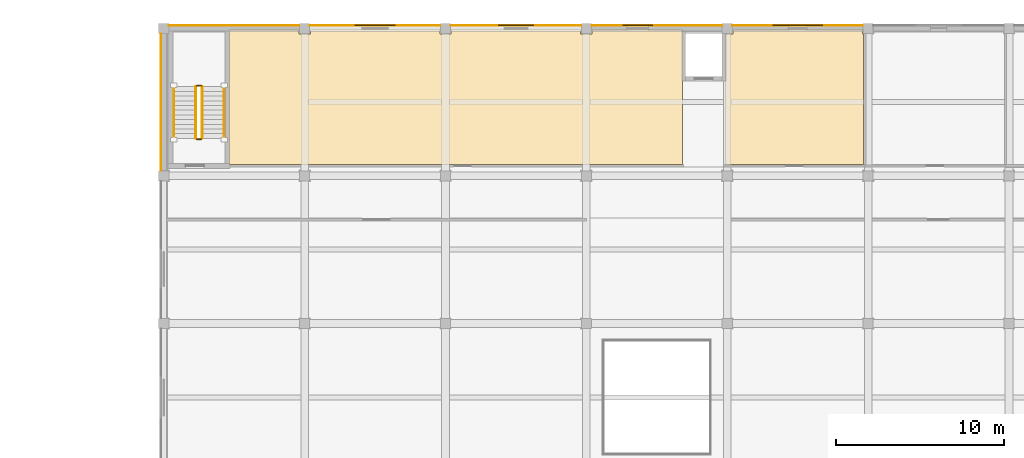
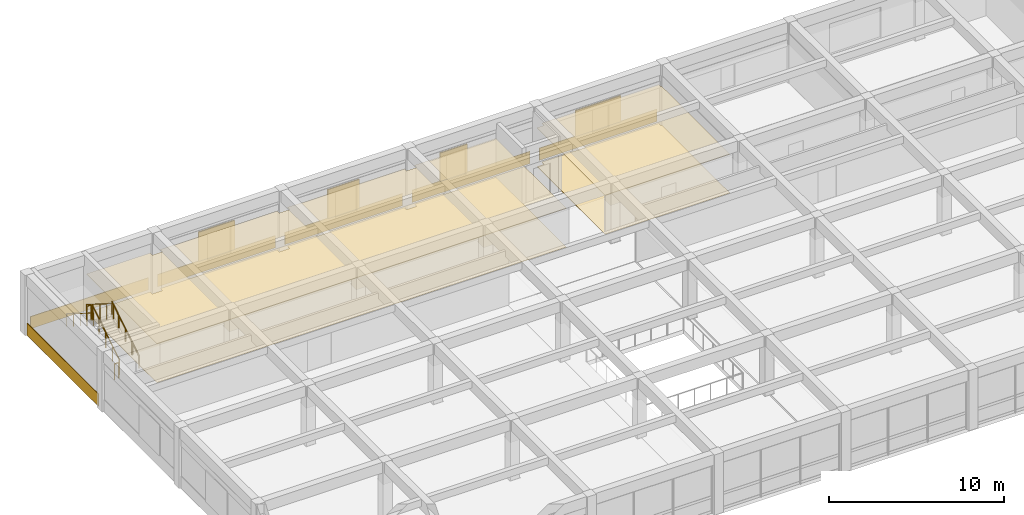
# One storey, part 41 of 46: 10 coverings, 6 railings, 4 shading devices.
"""IFC4 building model written with IfcOpenShell, lengths in metres."""

from ifc_helpers import new_model, si_unit, direction, frame, origin, origin_2d, place, context, subcontext, project, spatial, polyline, rectangle, circle, outline, extrude, material, layer, layer_set, type_object, element, save


model = new_model("IFC4")

# Units and contexts
model_context = context("Model", 3, precision=1e-05, world=origin(), true_north=direction((0.0, 1.0)))
body_context = subcontext(model_context, "Body", "Model", "MODEL_VIEW")
ifc_project = project(units=[si_unit("LENGTHUNIT", "METRE"), si_unit("AREAUNIT", "SQUARE_METRE"), si_unit("VOLUMEUNIT", "CUBIC_METRE"), si_unit("PLANEANGLEUNIT", "RADIAN"), si_unit("MASSUNIT", "GRAM", prefix="KILO")], contexts=[model_context])

# Site, building, storey
site_placement = place(None, origin())
site = spatial("IfcSite", under=ifc_project, at=site_placement, CompositionType="ELEMENT")
building_placement = place(site_placement, origin())
building = spatial("IfcBuilding", under=site, at=building_placement, Name="Kemercrest Conservatory and Botanical Centre", CompositionType="ELEMENT")
storey_placement = place(building_placement, frame((0.0, 0.0, 9.0)))
storey = spatial("IfcBuildingStorey", under=building, at=storey_placement, Name="L02", CompositionType="ELEMENT", Elevation=9.0)

# Coverings
ifc_material_1 = material(Name="Honed limestone almasik ashlar rainscreen", Category="masonry")
ifc_layer_1 = layer(ifc_material_1, 0.0400390625)
ifc_layer_set_1 = layer_set([ifc_layer_1], Name="Honed limestone almasik ashlar rainscreen")
covering_type_1 = type_object("IfcCoveringType", Name="CV-CLD040", PredefinedType="CLADDING", material=ifc_layer_set_1)
covering_1_placement = place(storey_placement, origin())
element("IfcCovering", 1, at=covering_1_placement, inside=storey, type_object=covering_type_1, Name="Exterior stone spandrel cladding (WAL:L02:EXT-129)", PredefinedType="CLADDING", context=body_context, shape_type="SweptSolid", body=[
    extrude(outline(polyline([(58.090087890625, 122.550048828125), (58.090087890625, 122.590087890625), (50.31005859375, 122.590087890625), (50.31005859375, 122.550048828125), (58.090087890625, 122.550048828125)])), origin(), (0.0, 0.0, 1.0), 0.85009765625),
])
covering_2_placement = place(storey_placement, origin())
element("IfcCovering", 2, at=covering_2_placement, inside=storey, type_object=covering_type_1, Name="Exterior stone spandrel cladding (WAL:L02:EXT-130)", PredefinedType="CLADDING", context=body_context, shape_type="SweptSolid", body=[
    extrude(outline(polyline([(49.68994140625, 122.550048828125), (49.68994140625, 122.590087890625), (41.909912109375, 122.590087890625), (41.909912109375, 122.550048828125), (49.68994140625, 122.550048828125)])), origin(), (0.0, 0.0, 1.0), 0.85009765625),
])
covering_3_placement = place(storey_placement, origin())
element("IfcCovering", 3, at=covering_3_placement, inside=storey, type_object=covering_type_1, Name="Exterior stone spandrel cladding (WAL:L02:EXT-131)", PredefinedType="CLADDING", context=body_context, shape_type="SweptSolid", body=[
    extrude(outline(polyline([(41.2900390625, 122.550048828125), (41.2900390625, 122.590087890625), (33.510009765625, 122.590087890625), (33.510009765625, 122.550048828125), (41.2900390625, 122.550048828125)])), origin(), (0.0, 0.0, 1.0), 0.85009765625),
])
covering_4_placement = place(storey_placement, origin())
element("IfcCovering", 4, at=covering_4_placement, inside=storey, type_object=covering_type_1, Name="Exterior stone spandrel cladding (WAL:L02:EXT-132)", PredefinedType="CLADDING", context=body_context, shape_type="SweptSolid", body=[
    extrude(outline(polyline([(32.889892578125, 122.550048828125), (32.889892578125, 122.590087890625), (25.110107421875, 122.590087890625), (25.110107421875, 122.550048828125), (32.889892578125, 122.550048828125)])), origin(), (0.0, 0.0, 1.0), 0.85009765625),
])
covering_5_placement = place(storey_placement, origin())
element("IfcCovering", 5, at=covering_5_placement, inside=storey, type_object=covering_type_1, Name="Exterior stone spandrel cladding (WAL:L02:EXT-133)", PredefinedType="CLADDING", context=body_context, shape_type="SweptSolid", body=[
    extrude(outline(polyline([(24.489990234375, 122.550048828125), (24.489990234375, 122.590087890625), (16.7099609375, 122.590087890625), (16.7099609375, 122.550048828125), (24.489990234375, 122.550048828125)])), origin(), (0.0, 0.0, 1.0), 0.85009765625),
])
covering_6_placement = place(storey_placement, origin())
element("IfcCovering", 6, at=covering_6_placement, inside=storey, type_object=covering_type_1, Name="Exterior stone spandrel cladding (WAL:L02:EXT-134)", PredefinedType="CLADDING", context=body_context, shape_type="SweptSolid", body=[
    extrude(outline(polyline([(16.25, 122.090087890625), (16.2099609375, 122.090087890625), (16.2099609375, 113.909912109375), (16.25, 113.909912109375), (16.25, 122.090087890625)])), origin(), (0.0, 0.0, 1.0), 0.85009765625),
])
ifc_material_2 = material(Name="Perforated acoustic gypsum and mineral-fibre suspended ceiling", Category="gypsum")
ifc_layer_2 = layer(ifc_material_2, 0.034912109375)
ifc_layer_set_2 = layer_set([ifc_layer_2], Name="Perforated acoustic gypsum and mineral-fibre suspended ceiling")
covering_type_2 = type_object("IfcCoveringType", Name="CV-CLG035", PredefinedType="CEILING", material=ifc_layer_set_2)
covering_7_placement = place(storey_placement, frame((0.0, 0.0, 2.699951171875)))
element("IfcCovering", 7, at=covering_7_placement, inside=storey, type_object=covering_type_2, Name="Youth Education Studio suspended acoustic ceiling", PredefinedType="CEILING", context=body_context, shape_type="SweptSolid", body=[
    extrude(outline(polyline([(20.280029296875, 114.280029296875), (47.320068359375, 114.280029296875), (47.320068359375, 122.320068359375), (41.93994140625, 122.320068359375), (41.93994140625, 122.06005859375), (41.260009765625, 122.06005859375), (41.260009765625, 122.320068359375), (33.5400390625, 122.320068359375), (33.5400390625, 122.06005859375), (32.860107421875, 122.06005859375), (32.860107421875, 122.320068359375), (25.139892578125, 122.320068359375), (25.139892578125, 122.06005859375), (24.4599609375, 122.06005859375), (24.4599609375, 122.320068359375), (20.280029296875, 122.320068359375), (20.280029296875, 114.280029296875)])), origin(), (0.0, 0.0, 1.0), 0.03515625),
])
covering_8_placement = place(storey_placement, frame((0.0, 0.0, 2.699951171875)))
element("IfcCovering", 8, at=covering_8_placement, inside=storey, type_object=covering_type_2, Name="Public Washroom suspended acoustic ceiling", PredefinedType="CEILING", context=body_context, shape_type="SweptSolid", body=[
    extrude(outline(polyline([(49.8798828125, 114.280029296875), (58.1201171875, 114.280029296875), (58.1201171875, 122.06005859375), (58.06005859375, 122.06005859375), (58.06005859375, 122.320068359375), (50.340087890625, 122.320068359375), (50.340087890625, 122.06005859375), (49.8798828125, 122.06005859375), (49.8798828125, 114.280029296875)])), origin(), (0.0, 0.0, 1.0), 0.03515625),
])
ifc_material_3 = material(Name="Polished limestone terrazzo and seamless laboratory epoxy flooring", Category="masonry")
ifc_layer_3 = layer(ifc_material_3, 0.02001953125)
ifc_layer_set_3 = layer_set([ifc_layer_3], Name="Polished limestone terrazzo and seamless laboratory epoxy flooring")
covering_type_3 = type_object("IfcCoveringType", Name="CV-FLR020", PredefinedType="FLOORING", material=ifc_layer_set_3)
covering_9_placement = place(storey_placement, origin())
element("IfcCovering", 9, at=covering_9_placement, inside=storey, type_object=covering_type_3, Name="Youth Education Studio floor finish", PredefinedType="FLOORING", context=body_context, shape_type="SweptSolid", body=[
    extrude(outline(polyline([(20.280029296875, 114.280029296875), (47.320068359375, 114.280029296875), (47.320068359375, 122.320068359375), (41.93994140625, 122.320068359375), (41.93994140625, 122.06005859375), (41.260009765625, 122.06005859375), (41.260009765625, 122.320068359375), (33.5400390625, 122.320068359375), (33.5400390625, 122.06005859375), (32.860107421875, 122.06005859375), (32.860107421875, 122.320068359375), (25.139892578125, 122.320068359375), (25.139892578125, 122.06005859375), (24.4599609375, 122.06005859375), (24.4599609375, 122.320068359375), (20.280029296875, 122.320068359375), (20.280029296875, 114.280029296875)])), origin(), (0.0, 0.0, 1.0), 0.02001953125),
])
covering_10_placement = place(storey_placement, origin())
element("IfcCovering", 10, at=covering_10_placement, inside=storey, type_object=covering_type_3, Name="Public Washroom floor finish", PredefinedType="FLOORING", context=body_context, shape_type="SweptSolid", body=[
    extrude(outline(polyline([(49.8798828125, 114.280029296875), (58.1201171875, 114.280029296875), (58.1201171875, 122.06005859375), (58.06005859375, 122.06005859375), (58.06005859375, 122.320068359375), (50.340087890625, 122.320068359375), (50.340087890625, 122.06005859375), (49.8798828125, 122.06005859375), (49.8798828125, 114.280029296875)])), origin(), (0.0, 0.0, 1.0), 0.02001953125),
])

# Railings
ifc_material_4 = material(Name="Painted galvanized steel tubular stair guardrail", Category="steel")
railing_type_1 = type_object("IfcRailingType", Name="GR-STR110", PredefinedType="GUARDRAIL", material=ifc_material_4)
railing_1_placement = place(storey_placement, frame((18.68994140625, 115.840087890625, 0.175048828125)))
element("IfcRailing", 11, at=railing_1_placement, inside=storey, type_object=railing_type_1, Name="L02 ST-V3A stair guard 1", PredefinedType="GUARDRAIL", context=body_context, shape_type="SweptSolid", body=[
    extrude(circle(Radius=0.02392578125, at=origin_2d()), frame((0.0, 0.0, 1.076171875), z_axis=(0.0, 0.847979421464, 0.530029150871), x_axis=(-1.0, 0.0, 0.0)), (0.0, 0.0, 1.0), 3.632080078125),
    extrude(circle(Radius=0.02099609375, at=origin_2d()), origin(), (0.0, 0.0, 1.0), 1.052001953125),
    extrude(circle(Radius=0.02099609375, at=origin_2d()), frame((0.0, 0.77001953125, 0.481201171875)), (0.0, 0.0, 1.0), 1.052001953125),
    extrude(circle(Radius=0.02099609375, at=origin_2d()), frame((0.0, 1.5400390625, 0.96240234375)), (0.0, 0.0, 1.0), 1.052001953125),
    extrude(circle(Radius=0.02099609375, at=origin_2d()), frame((0.0, 2.309814453125, 1.44384765625)), (0.0, 0.0, 1.0), 1.052001953125),
    extrude(circle(Radius=0.02099609375, at=origin_2d()), frame((0.0, 3.079833984375, 1.925048828125)), (0.0, 0.0, 1.0), 1.052001953125),
])
railing_2_placement = place(storey_placement, frame((18.639892578125, 118.969970703125, 2.10009765625)))
element("IfcRailing", 12, at=railing_2_placement, inside=storey, type_object=railing_type_1, Name="L02 ST-V3A stair guard 2", PredefinedType="GUARDRAIL", context=body_context, shape_type="SweptSolid", body=[
    extrude(circle(Radius=0.02392578125, at=origin_2d()), frame((0.0, 0.0, 1.076171875), z_axis=(-1.0, 0.0, 0.0), x_axis=(0.0, -1.0, 0.0)), (0.0, 0.0, 1.0), 0.27978515625),
    extrude(circle(Radius=0.02099609375, at=origin_2d()), origin(), (0.0, 0.0, 1.0), 1.052001953125),
    extrude(circle(Radius=0.02099609375, at=origin_2d()), frame((-0.27978515625, 0.0, 0.0)), (0.0, 0.0, 1.0), 1.052001953125),
])
railing_3_placement = place(storey_placement, frame((18.31005859375, 118.919921875, 2.27490234375)))
element("IfcRailing", 13, at=railing_3_placement, inside=storey, type_object=railing_type_1, Name="L02 ST-V3A stair guard 3", PredefinedType="GUARDRAIL", context=body_context, shape_type="SweptSolid", body=[
    extrude(circle(Radius=0.02392578125, at=origin_2d()), frame((0.0, 0.0, 1.076171875), z_axis=(0.0, -0.847979421464, 0.530029150871), x_axis=(1.0, 0.0, 0.0)), (0.0, 0.0, 1.0), 3.632080078125),
    extrude(circle(Radius=0.02099609375, at=origin_2d()), origin(), (0.0, 0.0, 1.0), 1.052001953125),
    extrude(circle(Radius=0.02099609375, at=origin_2d()), frame((0.0, -0.77001953125, 0.481201171875)), (0.0, 0.0, 1.0), 1.052001953125),
    extrude(circle(Radius=0.02099609375, at=origin_2d()), frame((0.0, -1.5400390625, 0.96240234375)), (0.0, 0.0, 1.0), 1.052001953125),
    extrude(circle(Radius=0.02099609375, at=origin_2d()), frame((0.0, -2.309814453125, 1.44384765625)), (0.0, 0.0, 1.0), 1.052001953125),
    extrude(circle(Radius=0.02099609375, at=origin_2d()), frame((0.0, -3.079833984375, 1.925048828125)), (0.0, 0.0, 1.0), 1.052001953125),
])
railing_4_placement = place(storey_placement, frame((18.639892578125, 115.7900390625, 0.0)))
element("IfcRailing", 14, at=railing_4_placement, inside=storey, type_object=railing_type_1, Name="L02 ST-V3A stair guard 4", PredefinedType="GUARDRAIL", context=body_context, shape_type="SweptSolid", body=[
    extrude(circle(Radius=0.02392578125, at=origin_2d()), frame((0.0, 0.0, 1.076171875), z_axis=(-1.0, 0.0, 0.0), x_axis=(0.0, -1.0, 0.0)), (0.0, 0.0, 1.0), 0.27978515625),
    extrude(circle(Radius=0.02099609375, at=origin_2d()), origin(), (0.0, 0.0, 1.0), 1.052001953125),
    extrude(circle(Radius=0.02099609375, at=origin_2d()), frame((-0.27978515625, 0.0, 0.0)), (0.0, 0.0, 1.0), 1.052001953125),
])
ifc_material_5 = material(Name="Brushed stainless steel wall-mounted handrail", Category="steel")
railing_type_2 = type_object("IfcRailingType", Name="HR-STR090", PredefinedType="HANDRAIL", material=ifc_material_5)
railing_5_placement = place(storey_placement, frame((19.989990234375, 115.840087890625, 0.175048828125)))
element("IfcRailing", 15, at=railing_5_placement, inside=storey, type_object=railing_type_2, Name="L02 ST-V3A stair handrail 1", PredefinedType="HANDRAIL", context=body_context, shape_type="SweptSolid", body=[
    extrude(circle(Radius=0.02392578125, at=origin_2d()), frame((0.0, 0.0, 0.8759765625), z_axis=(0.0, 0.847979421464, 0.530029150871), x_axis=(-1.0, 0.0, 0.0)), (0.0, 0.0, 1.0), 3.632080078125),
    extrude(circle(Radius=0.02099609375, at=origin_2d()), origin(), (0.0, 0.0, 1.0), 0.851806640625),
    extrude(circle(Radius=0.02099609375, at=origin_2d()), frame((0.0, 0.77001953125, 0.481201171875)), (0.0, 0.0, 1.0), 0.851806640625),
    extrude(circle(Radius=0.02099609375, at=origin_2d()), frame((0.0, 1.5400390625, 0.96240234375)), (0.0, 0.0, 1.0), 0.851806640625),
    extrude(circle(Radius=0.02099609375, at=origin_2d()), frame((0.0, 2.309814453125, 1.44384765625)), (0.0, 0.0, 1.0), 0.851806640625),
    extrude(circle(Radius=0.02099609375, at=origin_2d()), frame((0.0, 3.079833984375, 1.925048828125)), (0.0, 0.0, 1.0), 0.851806640625),
])
railing_6_placement = place(storey_placement, frame((17.010009765625, 118.919921875, 2.27490234375)))
element("IfcRailing", 16, at=railing_6_placement, inside=storey, type_object=railing_type_2, Name="L02 ST-V3A stair handrail 2", PredefinedType="HANDRAIL", context=body_context, shape_type="SweptSolid", body=[
    extrude(circle(Radius=0.02392578125, at=origin_2d()), frame((0.0, 0.0, 0.8759765625), z_axis=(0.0, -0.847979421464, 0.530029150871), x_axis=(1.0, 0.0, 0.0)), (0.0, 0.0, 1.0), 3.632080078125),
    extrude(circle(Radius=0.02099609375, at=origin_2d()), origin(), (0.0, 0.0, 1.0), 0.851806640625),
    extrude(circle(Radius=0.02099609375, at=origin_2d()), frame((0.0, -0.77001953125, 0.481201171875)), (0.0, 0.0, 1.0), 0.851806640625),
    extrude(circle(Radius=0.02099609375, at=origin_2d()), frame((0.0, -1.5400390625, 0.96240234375)), (0.0, 0.0, 1.0), 0.851806640625),
    extrude(circle(Radius=0.02099609375, at=origin_2d()), frame((0.0, -2.309814453125, 1.44384765625)), (0.0, 0.0, 1.0), 0.851806640625),
    extrude(circle(Radius=0.02099609375, at=origin_2d()), frame((0.0, -3.079833984375, 1.925048828125)), (0.0, 0.0, 1.0), 0.851806640625),
])

# Shading devices
ifc_material_6 = material(Name="Perforated bronze-anodized aluminium", Category="aluminium")
shading_device_type_1 = type_object("IfcShadingDeviceType", Name="SH-MS01", PredefinedType="USERDEFINED", material=ifc_material_6)
shading_device_1_placement = place(storey_placement, frame((44.655029296875, 122.587890625, 0.820068359375), z_axis=(0.0, 0.0, 1.0), x_axis=(-1.0, 0.0, 0.0)))
element("IfcShadingDevice", 17, at=shading_device_1_placement, inside=storey, type_object=shading_device_type_1, Name="Ottoman mashrabiya perforated screen SH-MS01 (WIN:L02:EXT-130)", ObjectType="MASHRABIYA SCREEN", PredefinedType="USERDEFINED", context=body_context, shape_type="SweptSolid", body=[
    extrude(rectangle(XDim=1.800048828125, YDim=0.080078125, at=origin_2d()), origin(), (0.0, 0.0, 1.0), 1.97998046875),
])
shading_device_type_2 = type_object("IfcShadingDeviceType", Name="SH-MS02", PredefinedType="USERDEFINED", material=ifc_material_6)
shading_device_2_placement = place(storey_placement, frame((37.39990234375, 122.587890625, 0.820068359375), z_axis=(0.0, 0.0, 1.0), x_axis=(-1.0, 0.0, 0.0)))
element("IfcShadingDevice", 18, at=shading_device_2_placement, inside=storey, type_object=shading_device_type_2, Name="Ottoman mashrabiya perforated screen SH-MS02 (WIN:L02:EXT-131)", ObjectType="MASHRABIYA SCREEN", PredefinedType="USERDEFINED", context=body_context, shape_type="SweptSolid", body=[
    extrude(rectangle(XDim=2.10009765625, YDim=0.080078125, at=origin_2d()), origin(), (0.0, 0.0, 1.0), 2.02001953125),
])
shading_device_type_3 = type_object("IfcShadingDeviceType", Name="SH-MS03", PredefinedType="USERDEFINED", material=ifc_material_6)
shading_device_3_placement = place(storey_placement, frame((29.0, 122.587890625, 0.820068359375), z_axis=(0.0, 0.0, 1.0), x_axis=(-1.0, 0.0, 0.0)))
element("IfcShadingDevice", 19, at=shading_device_3_placement, inside=storey, type_object=shading_device_type_3, Name="Ottoman mashrabiya perforated screen SH-MS03 (WIN:L02:EXT-132)", ObjectType="MASHRABIYA SCREEN", PredefinedType="USERDEFINED", context=body_context, shape_type="SweptSolid", body=[
    extrude(rectangle(XDim=2.39990234375, YDim=0.080078125, at=origin_2d()), origin(), (0.0, 0.0, 1.0), 2.0400390625),
])
shading_device_type_4 = type_object("IfcShadingDeviceType", Name="SH-MS05", PredefinedType="USERDEFINED", material=ifc_material_6)
shading_device_4_placement = place(storey_placement, frame((54.199951171875, 122.587890625, 0.820068359375), z_axis=(0.0, 0.0, 1.0), x_axis=(-1.0, 0.0, 0.0)))
element("IfcShadingDevice", 20, at=shading_device_4_placement, inside=storey, type_object=shading_device_type_4, Name="Ottoman mashrabiya perforated screen SH-MS05 (WIN:L02:EXT-129)", ObjectType="MASHRABIYA SCREEN", PredefinedType="USERDEFINED", context=body_context, shape_type="SweptSolid", body=[
    extrude(rectangle(XDim=3.0, YDim=0.080078125, at=origin_2d()), origin(), (0.0, 0.0, 1.0), 1.81005859375),
])

save(model, "model.ifc")
